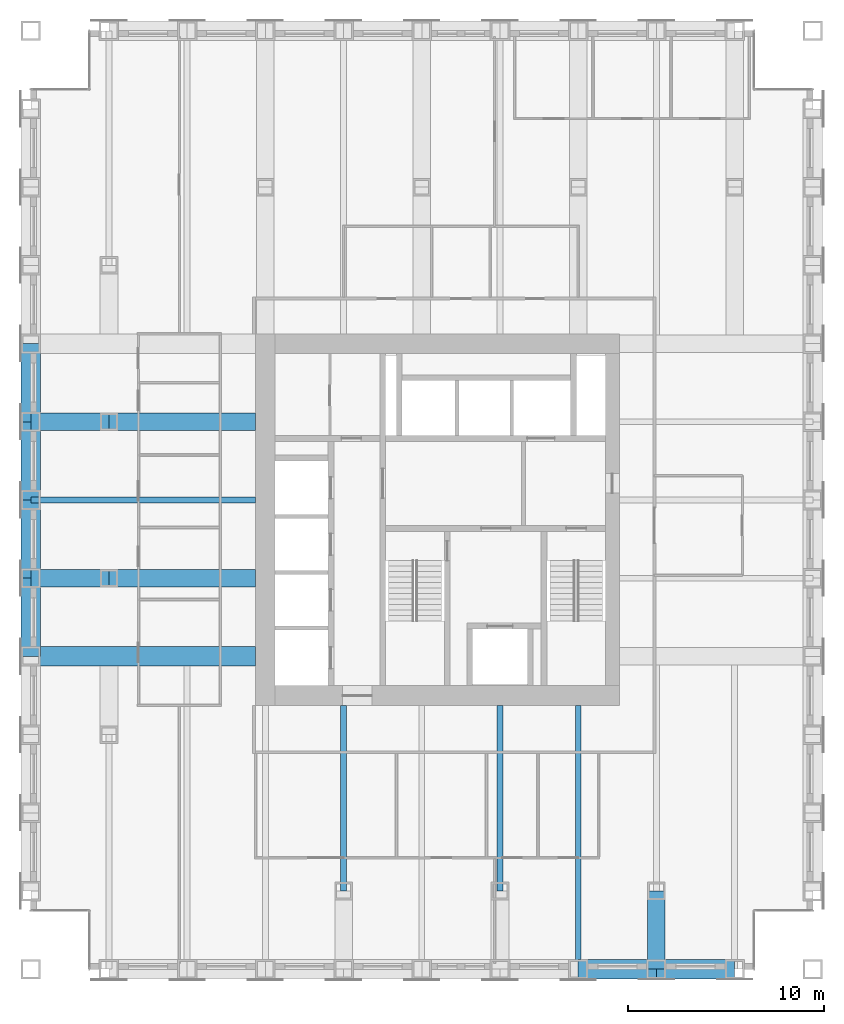
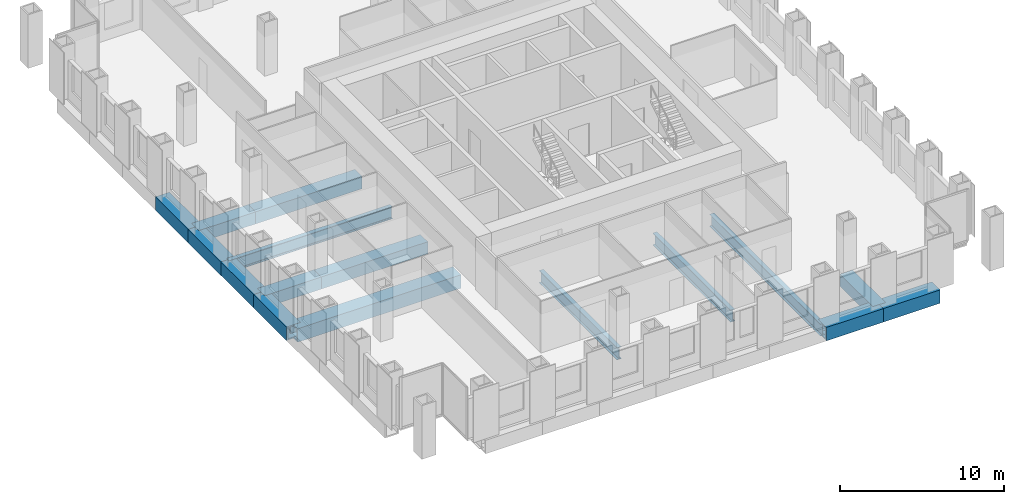
# One storey, part 3 of 12: 16 beams.
"""IFC4 building model written with IfcOpenShell, lengths in metres."""

from ifc_helpers import new_model, si_unit, direction, frame, origin, origin_2d, place, context, subcontext, project, spatial, hollow_rectangle, i_section, extrude, material, material_profile, profile_set, type_object, element, save


model = new_model("IFC4")

# Units and contexts
model_context = context("Model", 3, precision=1e-05, world=origin(), true_north=direction((0.0, 1.0)))
body_context = subcontext(model_context, "Body", "Model", "MODEL_VIEW")
ifc_project = project(units=[si_unit("LENGTHUNIT", "METRE"), si_unit("AREAUNIT", "SQUARE_METRE"), si_unit("VOLUMEUNIT", "CUBIC_METRE"), si_unit("PLANEANGLEUNIT", "RADIAN"), si_unit("MASSUNIT", "GRAM", prefix="KILO")], contexts=[model_context])

# Site, building, storey
site_placement = place(None, origin())
site = spatial("IfcSite", under=ifc_project, at=site_placement, CompositionType="ELEMENT")
building_placement = place(site_placement, origin())
building = spatial("IfcBuilding", under=site, at=building_placement, Name="Rimbunsela Tower", CompositionType="ELEMENT")
storey_placement = place(building_placement, frame((0.0, 0.0, 163.800048828125)))
storey = spatial("IfcBuildingStorey", under=building, at=storey_placement, Name="L39", CompositionType="ELEMENT", Elevation=163.800048828125)

# Beams
ifc_material_1 = material(Name="Steel BJ 55 (fy 410 MPa)", Category="steel")
ifc_material_profile_1 = material_profile(ifc_material_1, hollow_rectangle(XDim=1.0, YDim=1.0, WallThickness=0.10009765625, at=origin_2d()), Name="BOX 1000x1000x100")
ifc_profile_set_1 = profile_set([ifc_material_profile_1], Name="Steel BJ 55 (fy 410 MPa)")
beam_type_1 = type_object("IfcBeamType", Name="Beam BOX 1000x1000x100", PredefinedType="BEAM", material=ifc_profile_set_1)
beam_1_placement = place(storey_placement, frame((6.0, 20.0, -0.650146484375), z_axis=(0.0, 1.0, 0.0), x_axis=(-1.0, 0.0, 0.0)))
element("IfcBeam", 1, at=beam_1_placement, inside=storey, type_object=beam_type_1, Name="Beam B3 L39", PredefinedType="BEAM", context=body_context, shape_type="SweptSolid", body=[
    extrude(hollow_rectangle(XDim=1.0, YDim=1.0, WallThickness=0.10009765625, at=origin_2d()), origin(), (0.0, 0.0, 1.0), 4.0),
])
beam_2_placement = place(storey_placement, frame((6.0, 20.0, -0.650146484375), z_axis=(1.0, 0.0, 0.0), x_axis=(0.0, 1.0, 0.0)))
element("IfcBeam", 2, at=beam_2_placement, inside=storey, type_object=beam_type_1, Name="Beam B3 L39", PredefinedType="BEAM", context=body_context, shape_type="SweptSolid", body=[
    extrude(hollow_rectangle(XDim=1.0, YDim=1.0, WallThickness=0.10009765625, at=origin_2d()), origin(), (0.0, 0.0, 1.0), 11.5),
])
for number, where, z_axis, x_axis, name in (
    (3, (6.0, 24.0, -0.650146484375), (0.0, 1.0, 0.0), (-1.0, 0.0, 0.0), "Beam B3 L39"),
    (4, (6.0, 28.0, -0.650146484375), (0.0, 1.0, 0.0), (-1.0, 0.0, 0.0), "Beam B3 L39"),
    (5, (6.0, 32.0, -0.650146484375), (0.0, 1.0, 0.0), (-1.0, 0.0, 0.0), "Beam B3 L39"),
    (6, (34.0, 4.0, -0.650146484375), (1.0, 0.0, 0.0), (0.0, 1.0, 0.0), "Beam B3 L39"),
    (7, (38.0, 4.0, -0.650146484375), (1.0, 0.0, 0.0), (0.0, 1.0, 0.0), "Beam B3 L39"),
):
    element("IfcBeam", number, at=place(storey_placement, frame(where, z_axis=z_axis, x_axis=x_axis)), inside=storey, type_object=beam_type_1, Name=name, PredefinedType="BEAM", context=body_context, shape_type="SweptSolid", body=[
        extrude(hollow_rectangle(XDim=1.0, YDim=1.0, WallThickness=0.10009765625, at=origin_2d()), origin(), (0.0, 0.0, 1.0), 4.0),
    ])
ifc_material_2 = material(Name="Steel BJ 55 (fy 410 MPa)", Category="steel")
ifc_material_profile_2 = material_profile(ifc_material_2, hollow_rectangle(XDim=0.89990234375, YDim=0.89990234375, WallThickness=0.06005859375, at=origin_2d()), Name="BOX 900x900x60")
ifc_profile_set_2 = profile_set([ifc_material_profile_2], Name="Steel BJ 55 (fy 410 MPa)")
beam_type_2 = type_object("IfcBeamType", Name="Beam BOX 900x900x60", PredefinedType="BEAM", material=ifc_profile_set_2)
for number, where, z_axis, x_axis, name in (
    (8, (6.0, 24.0, -0.60009765625), (1.0, 0.0, 0.0), (0.0, 1.0, 0.0), "Beam B1 L39"),
    (9, (6.0, 32.0, -0.60009765625), (1.0, 0.0, 0.0), (0.0, 1.0, 0.0), "Beam B1 L39"),
):
    element("IfcBeam", number, at=place(storey_placement, frame(where, z_axis=z_axis, x_axis=x_axis)), inside=storey, type_object=beam_type_2, Name=name, PredefinedType="BEAM", context=body_context, shape_type="SweptSolid", body=[
        extrude(hollow_rectangle(XDim=0.89990234375, YDim=0.89990234375, WallThickness=0.06005859375, at=origin_2d()), origin(), (0.0, 0.0, 1.0), 4.0),
    ])
for number, where, z_axis, x_axis, name in (
    (10, (10.0, 24.0, -0.60009765625), (1.0, 0.0, 0.0), (0.0, 1.0, 0.0), "Beam B1 L39"),
    (11, (10.0, 32.0, -0.60009765625), (1.0, 0.0, 0.0), (0.0, 1.0, 0.0), "Beam B1 L39"),
):
    element("IfcBeam", number, at=place(storey_placement, frame(where, z_axis=z_axis, x_axis=x_axis)), inside=storey, type_object=beam_type_2, Name=name, PredefinedType="BEAM", context=body_context, shape_type="SweptSolid", body=[
        extrude(hollow_rectangle(XDim=0.89990234375, YDim=0.89990234375, WallThickness=0.06005859375, at=origin_2d()), origin(), (0.0, 0.0, 1.0), 7.5),
    ])
beam_3_placement = place(storey_placement, frame((38.0, 4.0, -0.60009765625), z_axis=(0.0, 1.0, 0.0), x_axis=(-1.0, 0.0, 0.0)))
element("IfcBeam", 12, at=beam_3_placement, inside=storey, type_object=beam_type_2, Name="Beam B1 L39", PredefinedType="BEAM", context=body_context, shape_type="SweptSolid", body=[
    extrude(hollow_rectangle(XDim=0.89990234375, YDim=0.89990234375, WallThickness=0.06005859375, at=origin_2d()), origin(), (0.0, 0.0, 1.0), 4.0),
])
ifc_material_3 = material(Name="Steel BJ 55 (fy 410 MPa)", Category="steel")
ifc_material_profile_3 = material_profile(ifc_material_3, i_section(OverallWidth=0.300048828125, OverallDepth=0.89990234375, WebThickness=0.01611328125, FlangeThickness=0.028076171875, FilletRadius=0.028076171875, at=origin_2d()), Name="H 900x300x16x28")
ifc_profile_set_3 = profile_set([ifc_material_profile_3], Name="Steel BJ 55 (fy 410 MPa)")
beam_type_3 = type_object("IfcBeamType", Name="Beam H 900x300x16x28", PredefinedType="BEAM", material=ifc_profile_set_3)
beam_4_placement = place(storey_placement, frame((6.0, 28.0, -0.60009765625), z_axis=(1.0, 0.0, 0.0), x_axis=(0.0, 1.0, 0.0)))
element("IfcBeam", 13, at=beam_4_placement, inside=storey, type_object=beam_type_3, Name="Beam B2 L39", PredefinedType="BEAM", context=body_context, shape_type="SweptSolid", body=[
    extrude(i_section(OverallWidth=0.300048828125, OverallDepth=0.89990234375, WebThickness=0.01611328125, FlangeThickness=0.028076171875, FilletRadius=0.028076171875, at=origin_2d()), origin(), (0.0, 0.0, 1.0), 11.5),
])
for number, where, z_axis, x_axis, name in (
    (14, (22.0, 8.0, -0.60009765625), (0.0, 1.0, 0.0), (-1.0, 0.0, 0.0), "Beam B2 L39"),
    (15, (30.0, 8.0, -0.60009765625), (0.0, 1.0, 0.0), (-1.0, 0.0, 0.0), "Beam B2 L39"),
):
    element("IfcBeam", number, at=place(storey_placement, frame(where, z_axis=z_axis, x_axis=x_axis)), inside=storey, type_object=beam_type_3, Name=name, PredefinedType="BEAM", context=body_context, shape_type="SweptSolid", body=[
        extrude(i_section(OverallWidth=0.300048828125, OverallDepth=0.89990234375, WebThickness=0.01611328125, FlangeThickness=0.028076171875, FilletRadius=0.028076171875, at=origin_2d()), origin(), (0.0, 0.0, 1.0), 9.5),
    ])
beam_5_placement = place(storey_placement, frame((34.0, 4.0, -0.60009765625), z_axis=(0.0, 1.0, 0.0), x_axis=(-1.0, 0.0, 0.0)))
element("IfcBeam", 16, at=beam_5_placement, inside=storey, type_object=beam_type_3, Name="Beam B2 L39", PredefinedType="BEAM", context=body_context, shape_type="SweptSolid", body=[
    extrude(i_section(OverallWidth=0.300048828125, OverallDepth=0.89990234375, WebThickness=0.01611328125, FlangeThickness=0.028076171875, FilletRadius=0.028076171875, at=origin_2d()), origin(), (0.0, 0.0, 1.0), 13.5),
])

save(model, "model.ifc")
